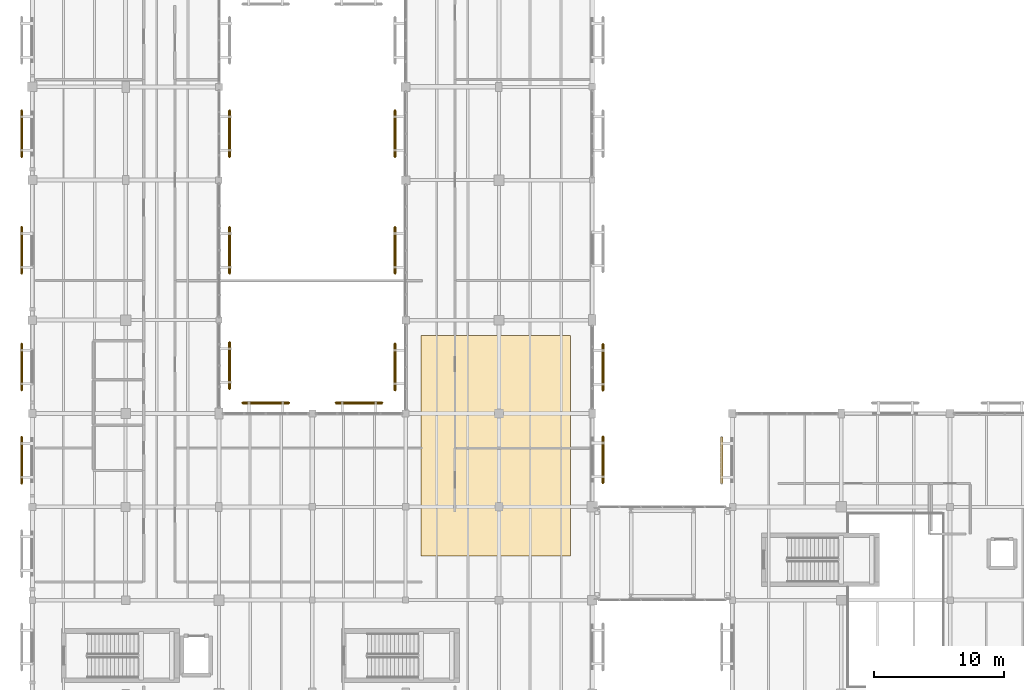
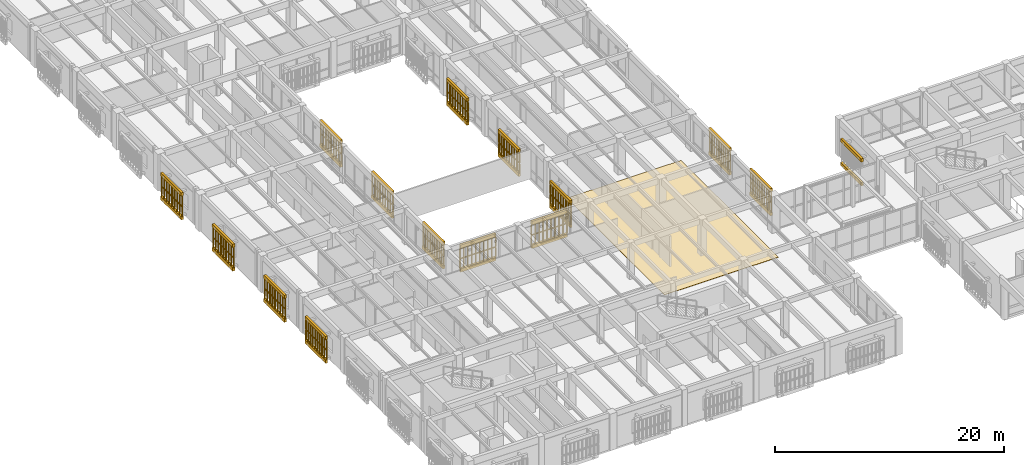
# One storey, part 152 of 170: 31 coverings, 28 railings.
"""IFC4 building model written with IfcOpenShell, lengths in metres."""

from ifc_helpers import new_model, si_unit, direction, frame, origin, origin_2d, place, context, subcontext, project, spatial, polyline, circle, outline, extrude, material, layer, layer_set, type_object, element, save


model = new_model("IFC4")

# Units and contexts
model_context = context("Model", 3, precision=1e-05, world=origin(), true_north=direction((0.0, 1.0)))
body_context = subcontext(model_context, "Body", "Model", "MODEL_VIEW")
ifc_project = project(units=[si_unit("LENGTHUNIT", "METRE"), si_unit("AREAUNIT", "SQUARE_METRE"), si_unit("VOLUMEUNIT", "CUBIC_METRE"), si_unit("PLANEANGLEUNIT", "RADIAN"), si_unit("MASSUNIT", "GRAM", prefix="KILO")], contexts=[model_context])

# Site, building, storey
site_placement = place(None, origin())
site = spatial("IfcSite", under=ifc_project, at=site_placement, CompositionType="ELEMENT")
building_placement = place(site_placement, origin())
building = spatial("IfcBuilding", under=site, at=building_placement, Name="Mazaris Harbour Polytechnic", CompositionType="ELEMENT")
storey_placement = place(building_placement, frame((0.0, 0.0, 5.39990234375)))
storey = spatial("IfcBuildingStorey", under=building, at=storey_placement, Name="L01", CompositionType="ELEMENT", Elevation=5.39990234375)

# Covering
ifc_material_1 = material(Name="Honed Stone Terrazzo", Category="masonry")
ifc_layer_1 = layer(ifc_material_1, 0.034912109375, Name="Honed Stone Terrazzo")
ifc_layer_set_1 = layer_set([ifc_layer_1], Name="Honed Stone Terrazzo")
covering_type_1 = type_object("IfcCoveringType", Name="Honed Stone Terrazzo Flooring 35", PredefinedType="FLOORING", material=ifc_layer_set_1)
covering_1_placement = place(storey_placement, origin())
element("IfcCovering", 1, at=covering_1_placement, inside=storey, type_object=covering_type_1, Name="Covering COV-FL-04", PredefinedType="FLOORING", context=body_context, shape_type="SweptSolid", body=[
    extrude(outline(polyline([(30.0, 25.0), (41.5, 25.0), (41.5, 42.0), (30.0, 42.0), (30.0, 25.0)])), origin(), (0.0, 0.0, 1.0), 0.03515625),
])

# Railings
ifc_material_2 = material(Name="Perforated Earth-Coloured Terracotta Block", Category="masonry")
railing_type = type_object("IfcRailingType", Name="Perforated Earth-Block Claustra Lattice 1040", PredefinedType="BALUSTRADE", material=ifc_material_2)
for number, where, name in (
    (2, (-0.820068359375, 30.58740234375, 0.52001953125), "V4 L01 Lower Perforated Terracotta Block Screen 170"),
    (3, (-0.820068359375, 30.58740234375, 1.60498046875), "V4 L01 Upper Perforated Terracotta Block Screen 170"),
):
    element("IfcRailing", number, at=place(storey_placement, frame(where)), inside=storey, type_object=railing_type, Name=name, PredefinedType="BALUSTRADE", context=body_context, shape_type="SweptSolid", body=[
        extrude(circle(Radius=0.06982421875, at=origin_2d()), frame((0.0, 0.0, 1.01513671875), z_axis=(0.0, 1.0, 0.0), x_axis=(-1.0, 0.0, 0.0)), (0.0, 0.0, 1.0), 3.60009765625),
        extrude(circle(Radius=0.074951171875, at=origin_2d()), origin(), (0.0, 0.0, 1.0), 0.945068359375),
        extrude(circle(Radius=0.074951171875, at=origin_2d()), frame((0.0, 0.39990234375, 0.0)), (0.0, 0.0, 1.0), 0.945068359375),
        extrude(circle(Radius=0.074951171875, at=origin_2d()), frame((0.0, 0.800048828125, 0.0)), (0.0, 0.0, 1.0), 0.945068359375),
        extrude(circle(Radius=0.074951171875, at=origin_2d()), frame((0.0, 1.199951171875, 0.0)), (0.0, 0.0, 1.0), 0.945068359375),
        extrude(circle(Radius=0.074951171875, at=origin_2d()), frame((0.0, 1.60009765625, 0.0)), (0.0, 0.0, 1.0), 0.945068359375),
        extrude(circle(Radius=0.074951171875, at=origin_2d()), frame((0.0, 2.0, 0.0)), (0.0, 0.0, 1.0), 0.945068359375),
        extrude(circle(Radius=0.074951171875, at=origin_2d()), frame((0.0, 2.400146484375, 0.0)), (0.0, 0.0, 1.0), 0.945068359375),
        extrude(circle(Radius=0.074951171875, at=origin_2d()), frame((0.0, 2.800048828125, 0.0)), (0.0, 0.0, 1.0), 0.945068359375),
        extrude(circle(Radius=0.074951171875, at=origin_2d()), frame((0.0, 3.2001953125, 0.0)), (0.0, 0.0, 1.0), 0.945068359375),
        extrude(circle(Radius=0.074951171875, at=origin_2d()), frame((0.0, 3.60009765625, 0.0)), (0.0, 0.0, 1.0), 0.945068359375),
    ])
for number, where, name in (
    (4, (-0.820068359375, 37.78759765625, 0.52001953125), "V4 L01 Lower Perforated Terracotta Block Screen 171"),
    (5, (-0.820068359375, 37.78759765625, 1.610107421875), "V4 L01 Upper Perforated Terracotta Block Screen 171"),
    (6, (-0.820068359375, 46.78759765625, 0.52001953125), "V4 L01 Lower Perforated Terracotta Block Screen 172"),
    (7, (-0.820068359375, 46.78759765625, 1.610107421875), "V4 L01 Upper Perforated Terracotta Block Screen 172"),
    (8, (-0.820068359375, 55.78759765625, 0.52001953125), "V4 L01 Lower Perforated Terracotta Block Screen 173"),
    (9, (-0.820068359375, 55.78759765625, 1.610107421875), "V4 L01 Upper Perforated Terracotta Block Screen 173"),
):
    element("IfcRailing", number, at=place(storey_placement, frame(where)), inside=storey, type_object=railing_type, Name=name, PredefinedType="BALUSTRADE", context=body_context, shape_type="SweptSolid", body=[
        extrude(circle(Radius=0.06982421875, at=origin_2d()), frame((0.0, 0.0, 1.02001953125), z_axis=(0.0, 1.0, 0.0), x_axis=(-1.0, 0.0, 0.0)), (0.0, 0.0, 1.0), 3.599853515625),
        extrude(circle(Radius=0.074951171875, at=origin_2d()), origin(), (0.0, 0.0, 1.0), 0.9501953125),
        extrude(circle(Radius=0.074951171875, at=origin_2d()), frame((0.0, 0.449951171875, 0.0)), (0.0, 0.0, 1.0), 0.9501953125),
        extrude(circle(Radius=0.074951171875, at=origin_2d()), frame((0.0, 0.89990234375, 0.0)), (0.0, 0.0, 1.0), 0.9501953125),
        extrude(circle(Radius=0.074951171875, at=origin_2d()), frame((0.0, 1.349853515625, 0.0)), (0.0, 0.0, 1.0), 0.9501953125),
        extrude(circle(Radius=0.074951171875, at=origin_2d()), frame((0.0, 1.7998046875, 0.0)), (0.0, 0.0, 1.0), 0.9501953125),
        extrude(circle(Radius=0.074951171875, at=origin_2d()), frame((0.0, 2.25, 0.0)), (0.0, 0.0, 1.0), 0.9501953125),
        extrude(circle(Radius=0.074951171875, at=origin_2d()), frame((0.0, 2.699951171875, 0.0)), (0.0, 0.0, 1.0), 0.9501953125),
        extrude(circle(Radius=0.074951171875, at=origin_2d()), frame((0.0, 3.14990234375, 0.0)), (0.0, 0.0, 1.0), 0.9501953125),
        extrude(circle(Radius=0.074951171875, at=origin_2d()), frame((0.0, 3.599853515625, 0.0)), (0.0, 0.0, 1.0), 0.9501953125),
    ])
for number, where, name in (
    (10, (44.02001953125, 34.22509765625, 0.52001953125), "V4 L01 Lower Perforated Terracotta Block Screen 181"),
    (11, (44.02001953125, 34.22509765625, 1.610107421875), "V4 L01 Upper Perforated Terracotta Block Screen 181"),
    (12, (44.02001953125, 41.362548828125, 0.52001953125), "V4 L01 Lower Perforated Terracotta Block Screen 182"),
    (13, (44.02001953125, 41.362548828125, 1.610107421875), "V4 L01 Upper Perforated Terracotta Block Screen 182"),
):
    element("IfcRailing", number, at=place(storey_placement, frame(where)), inside=storey, type_object=railing_type, Name=name, PredefinedType="BALUSTRADE", context=body_context, shape_type="SweptSolid", body=[
        extrude(circle(Radius=0.06982421875, at=origin_2d()), frame((0.0, 0.0, 1.02001953125), z_axis=(0.0, -1.0, 0.0), x_axis=(1.0, 0.0, 0.0)), (0.0, 0.0, 1.0), 3.60009765625),
        extrude(circle(Radius=0.074951171875, at=origin_2d()), origin(), (0.0, 0.0, 1.0), 0.9501953125),
        extrude(circle(Radius=0.074951171875, at=origin_2d()), frame((0.0, -0.39990234375, 0.0)), (0.0, 0.0, 1.0), 0.9501953125),
        extrude(circle(Radius=0.074951171875, at=origin_2d()), frame((0.0, -0.800048828125, 0.0)), (0.0, 0.0, 1.0), 0.9501953125),
        extrude(circle(Radius=0.074951171875, at=origin_2d()), frame((0.0, -1.199951171875, 0.0)), (0.0, 0.0, 1.0), 0.9501953125),
        extrude(circle(Radius=0.074951171875, at=origin_2d()), frame((0.0, -1.60009765625, 0.0)), (0.0, 0.0, 1.0), 0.9501953125),
        extrude(circle(Radius=0.074951171875, at=origin_2d()), frame((0.0, -2.0, 0.0)), (0.0, 0.0, 1.0), 0.9501953125),
        extrude(circle(Radius=0.074951171875, at=origin_2d()), frame((0.0, -2.400146484375, 0.0)), (0.0, 0.0, 1.0), 0.9501953125),
        extrude(circle(Radius=0.074951171875, at=origin_2d()), frame((0.0, -2.800048828125, 0.0)), (0.0, 0.0, 1.0), 0.9501953125),
        extrude(circle(Radius=0.074951171875, at=origin_2d()), frame((0.0, -3.2001953125, 0.0)), (0.0, 0.0, 1.0), 0.9501953125),
        extrude(circle(Radius=0.074951171875, at=origin_2d()), frame((0.0, -3.60009765625, 0.0)), (0.0, 0.0, 1.0), 0.9501953125),
    ])
for number, where, name in (
    (14, (16.21240234375, 36.820068359375, 0.52001953125), "V4 L01 Lower Perforated Terracotta Block Screen 189"),
    (15, (16.21240234375, 36.820068359375, 1.610107421875), "V4 L01 Upper Perforated Terracotta Block Screen 189"),
    (16, (23.39990234375, 36.820068359375, 0.52001953125), "V4 L01 Lower Perforated Terracotta Block Screen 190"),
    (17, (23.39990234375, 36.820068359375, 1.610107421875), "V4 L01 Upper Perforated Terracotta Block Screen 190"),
):
    element("IfcRailing", number, at=place(storey_placement, frame(where)), inside=storey, type_object=railing_type, Name=name, PredefinedType="BALUSTRADE", context=body_context, shape_type="SweptSolid", body=[
        extrude(circle(Radius=0.06982421875, at=origin_2d()), frame((0.0, 0.0, 1.02001953125), z_axis=(1.0, 0.0, 0.0), x_axis=(0.0, 1.0, 0.0)), (0.0, 0.0, 1.0), 3.60009765625),
        extrude(circle(Radius=0.074951171875, at=origin_2d()), origin(), (0.0, 0.0, 1.0), 0.9501953125),
        extrude(circle(Radius=0.074951171875, at=origin_2d()), frame((0.39990234375, 0.0, 0.0)), (0.0, 0.0, 1.0), 0.9501953125),
        extrude(circle(Radius=0.074951171875, at=origin_2d()), frame((0.800048828125, 0.0, 0.0)), (0.0, 0.0, 1.0), 0.9501953125),
        extrude(circle(Radius=0.074951171875, at=origin_2d()), frame((1.199951171875, 0.0, 0.0)), (0.0, 0.0, 1.0), 0.9501953125),
        extrude(circle(Radius=0.074951171875, at=origin_2d()), frame((1.60009765625, 0.0, 0.0)), (0.0, 0.0, 1.0), 0.9501953125),
        extrude(circle(Radius=0.074951171875, at=origin_2d()), frame((2.0, 0.0, 0.0)), (0.0, 0.0, 1.0), 0.9501953125),
        extrude(circle(Radius=0.074951171875, at=origin_2d()), frame((2.400146484375, 0.0, 0.0)), (0.0, 0.0, 1.0), 0.9501953125),
        extrude(circle(Radius=0.074951171875, at=origin_2d()), frame((2.800048828125, 0.0, 0.0)), (0.0, 0.0, 1.0), 0.9501953125),
        extrude(circle(Radius=0.074951171875, at=origin_2d()), frame((3.2001953125, 0.0, 0.0)), (0.0, 0.0, 1.0), 0.9501953125),
        extrude(circle(Radius=0.074951171875, at=origin_2d()), frame((3.60009765625, 0.0, 0.0)), (0.0, 0.0, 1.0), 0.9501953125),
    ])
for number, where, name in (
    (18, (15.219970703125, 37.89990234375, 0.52001953125), "V4 L01 Lower Perforated Terracotta Block Screen 193"),
    (19, (15.219970703125, 37.89990234375, 1.610107421875), "V4 L01 Upper Perforated Terracotta Block Screen 193"),
):
    element("IfcRailing", number, at=place(storey_placement, frame(where)), inside=storey, type_object=railing_type, Name=name, PredefinedType="BALUSTRADE", context=body_context, shape_type="SweptSolid", body=[
        extrude(circle(Radius=0.06982421875, at=origin_2d()), frame((0.0, 0.0, 1.02001953125), z_axis=(0.0, 1.0, 0.0), x_axis=(-1.0, 0.0, 0.0)), (0.0, 0.0, 1.0), 3.60009765625),
        extrude(circle(Radius=0.074951171875, at=origin_2d()), origin(), (0.0, 0.0, 1.0), 0.9501953125),
        extrude(circle(Radius=0.074951171875, at=origin_2d()), frame((0.0, 0.39990234375, 0.0)), (0.0, 0.0, 1.0), 0.9501953125),
        extrude(circle(Radius=0.074951171875, at=origin_2d()), frame((0.0, 0.800048828125, 0.0)), (0.0, 0.0, 1.0), 0.9501953125),
        extrude(circle(Radius=0.074951171875, at=origin_2d()), frame((0.0, 1.199951171875, 0.0)), (0.0, 0.0, 1.0), 0.9501953125),
        extrude(circle(Radius=0.074951171875, at=origin_2d()), frame((0.0, 1.60009765625, 0.0)), (0.0, 0.0, 1.0), 0.9501953125),
        extrude(circle(Radius=0.074951171875, at=origin_2d()), frame((0.0, 2.0, 0.0)), (0.0, 0.0, 1.0), 0.9501953125),
        extrude(circle(Radius=0.074951171875, at=origin_2d()), frame((0.0, 2.400146484375, 0.0)), (0.0, 0.0, 1.0), 0.9501953125),
        extrude(circle(Radius=0.074951171875, at=origin_2d()), frame((0.0, 2.800048828125, 0.0)), (0.0, 0.0, 1.0), 0.9501953125),
        extrude(circle(Radius=0.074951171875, at=origin_2d()), frame((0.0, 3.2001953125, 0.0)), (0.0, 0.0, 1.0), 0.9501953125),
        extrude(circle(Radius=0.074951171875, at=origin_2d()), frame((0.0, 3.60009765625, 0.0)), (0.0, 0.0, 1.0), 0.9501953125),
    ])
for number, where, name in (
    (20, (15.219970703125, 46.78759765625, 0.52001953125), "V4 L01 Lower Perforated Terracotta Block Screen 194"),
    (21, (15.219970703125, 46.78759765625, 1.610107421875), "V4 L01 Upper Perforated Terracotta Block Screen 194"),
    (22, (15.219970703125, 55.78759765625, 0.52001953125), "V4 L01 Lower Perforated Terracotta Block Screen 195"),
    (23, (15.219970703125, 55.78759765625, 1.610107421875), "V4 L01 Upper Perforated Terracotta Block Screen 195"),
):
    element("IfcRailing", number, at=place(storey_placement, frame(where)), inside=storey, type_object=railing_type, Name=name, PredefinedType="BALUSTRADE", context=body_context, shape_type="SweptSolid", body=[
        extrude(circle(Radius=0.06982421875, at=origin_2d()), frame((0.0, 0.0, 1.02001953125), z_axis=(0.0, 1.0, 0.0), x_axis=(-1.0, 0.0, 0.0)), (0.0, 0.0, 1.0), 3.599853515625),
        extrude(circle(Radius=0.074951171875, at=origin_2d()), origin(), (0.0, 0.0, 1.0), 0.9501953125),
        extrude(circle(Radius=0.074951171875, at=origin_2d()), frame((0.0, 0.449951171875, 0.0)), (0.0, 0.0, 1.0), 0.9501953125),
        extrude(circle(Radius=0.074951171875, at=origin_2d()), frame((0.0, 0.89990234375, 0.0)), (0.0, 0.0, 1.0), 0.9501953125),
        extrude(circle(Radius=0.074951171875, at=origin_2d()), frame((0.0, 1.349853515625, 0.0)), (0.0, 0.0, 1.0), 0.9501953125),
        extrude(circle(Radius=0.074951171875, at=origin_2d()), frame((0.0, 1.7998046875, 0.0)), (0.0, 0.0, 1.0), 0.9501953125),
        extrude(circle(Radius=0.074951171875, at=origin_2d()), frame((0.0, 2.25, 0.0)), (0.0, 0.0, 1.0), 0.9501953125),
        extrude(circle(Radius=0.074951171875, at=origin_2d()), frame((0.0, 2.699951171875, 0.0)), (0.0, 0.0, 1.0), 0.9501953125),
        extrude(circle(Radius=0.074951171875, at=origin_2d()), frame((0.0, 3.14990234375, 0.0)), (0.0, 0.0, 1.0), 0.9501953125),
        extrude(circle(Radius=0.074951171875, at=origin_2d()), frame((0.0, 3.599853515625, 0.0)), (0.0, 0.0, 1.0), 0.9501953125),
    ])
for number, where, name in (
    (24, (27.97998046875, 41.387451171875, 0.52001953125), "V4 L01 Lower Perforated Terracotta Block Screen 197"),
    (25, (27.97998046875, 41.387451171875, 1.610107421875), "V4 L01 Upper Perforated Terracotta Block Screen 197"),
    (26, (27.97998046875, 50.387451171875, 0.52001953125), "V4 L01 Lower Perforated Terracotta Block Screen 198"),
    (27, (27.97998046875, 50.387451171875, 1.610107421875), "V4 L01 Upper Perforated Terracotta Block Screen 198"),
    (28, (27.97998046875, 59.387451171875, 0.52001953125), "V4 L01 Lower Perforated Terracotta Block Screen 199"),
    (29, (27.97998046875, 59.387451171875, 1.610107421875), "V4 L01 Upper Perforated Terracotta Block Screen 199"),
):
    element("IfcRailing", number, at=place(storey_placement, frame(where)), inside=storey, type_object=railing_type, Name=name, PredefinedType="BALUSTRADE", context=body_context, shape_type="SweptSolid", body=[
        extrude(circle(Radius=0.06982421875, at=origin_2d()), frame((0.0, 0.0, 1.02001953125), z_axis=(0.0, -1.0, 0.0), x_axis=(1.0, 0.0, 0.0)), (0.0, 0.0, 1.0), 3.599853515625),
        extrude(circle(Radius=0.074951171875, at=origin_2d()), origin(), (0.0, 0.0, 1.0), 0.9501953125),
        extrude(circle(Radius=0.074951171875, at=origin_2d()), frame((0.0, -0.449951171875, 0.0)), (0.0, 0.0, 1.0), 0.9501953125),
        extrude(circle(Radius=0.074951171875, at=origin_2d()), frame((0.0, -0.89990234375, 0.0)), (0.0, 0.0, 1.0), 0.9501953125),
        extrude(circle(Radius=0.074951171875, at=origin_2d()), frame((0.0, -1.349853515625, 0.0)), (0.0, 0.0, 1.0), 0.9501953125),
        extrude(circle(Radius=0.074951171875, at=origin_2d()), frame((0.0, -1.7998046875, 0.0)), (0.0, 0.0, 1.0), 0.9501953125),
        extrude(circle(Radius=0.074951171875, at=origin_2d()), frame((0.0, -2.25, 0.0)), (0.0, 0.0, 1.0), 0.9501953125),
        extrude(circle(Radius=0.074951171875, at=origin_2d()), frame((0.0, -2.699951171875, 0.0)), (0.0, 0.0, 1.0), 0.9501953125),
        extrude(circle(Radius=0.074951171875, at=origin_2d()), frame((0.0, -3.14990234375, 0.0)), (0.0, 0.0, 1.0), 0.9501953125),
        extrude(circle(Radius=0.074951171875, at=origin_2d()), frame((0.0, -3.599853515625, 0.0)), (0.0, 0.0, 1.0), 0.9501953125),
    ])

# Coverings
ifc_material_3 = material(Name="Perforated Earth-Coloured Terracotta Block", Category="masonry")
ifc_layer_2 = layer(ifc_material_3, 0.219970703125, Name="Perforated Earth-Coloured Terracotta Block")
ifc_layer_set_2 = layer_set([ifc_layer_2], Name="Perforated Earth-Coloured Terracotta Block")
covering_type_2 = type_object("IfcCoveringType", Name="Terracotta Screen Course Cladding 220", PredefinedType="CLADDING", material=ifc_layer_set_2)
covering_2_placement = place(storey_placement, frame((0.0, 0.0, 0.16015625)))
element("IfcCovering", 30, at=covering_2_placement, inside=storey, type_object=covering_type_2, Name="V3 L01 Perforated Screen Sill Course 118", PredefinedType="CLADDING", context=body_context, shape_type="SweptSolid", body=[
    extrude(outline(polyline([(53.2900390625, 30.58740234375), (53.2900390625, 34.1875), (53.070068359375, 34.1875), (53.070068359375, 30.58740234375), (53.2900390625, 30.58740234375)])), origin(), (0.0, 0.0, 1.0), 0.35986328125),
])
covering_3_placement = place(storey_placement, frame((0.0, 0.0, 2.7001953125)))
element("IfcCovering", 31, at=covering_3_placement, inside=storey, type_object=covering_type_2, Name="V3 L01 Perforated Screen Lintel Course 118", PredefinedType="CLADDING", context=body_context, shape_type="SweptSolid", body=[
    extrude(outline(polyline([(53.2900390625, 30.58740234375), (53.2900390625, 34.1875), (53.070068359375, 34.1875), (53.070068359375, 30.58740234375), (53.2900390625, 30.58740234375)])), origin(), (0.0, 0.0, 1.0), 0.33984375),
])
covering_4_placement = place(storey_placement, frame((0.0, 0.0, 0.16015625)))
element("IfcCovering", 32, at=covering_4_placement, inside=storey, type_object=covering_type_2, Name="V4 L01 Perforated Screen Sill Course 170", PredefinedType="CLADDING", context=body_context, shape_type="SweptSolid", body=[
    extrude(outline(polyline([(-0.7099609375, 30.58740234375), (-0.7099609375, 34.1875), (-0.929931640625, 34.1875), (-0.929931640625, 30.58740234375), (-0.7099609375, 30.58740234375)])), origin(), (0.0, 0.0, 1.0), 0.35986328125),
])
covering_5_placement = place(storey_placement, frame((0.0, 0.0, 2.690185546875)))
element("IfcCovering", 33, at=covering_5_placement, inside=storey, type_object=covering_type_2, Name="V4 L01 Perforated Screen Lintel Course 170", PredefinedType="CLADDING", context=body_context, shape_type="SweptSolid", body=[
    extrude(outline(polyline([(-0.7099609375, 30.58740234375), (-0.7099609375, 34.1875), (-0.929931640625, 34.1875), (-0.929931640625, 30.58740234375), (-0.7099609375, 30.58740234375)])), origin(), (0.0, 0.0, 1.0), 0.33984375),
])
covering_6_placement = place(storey_placement, frame((0.0, 0.0, 0.16015625)))
element("IfcCovering", 34, at=covering_6_placement, inside=storey, type_object=covering_type_2, Name="V4 L01 Perforated Screen Sill Course 171", PredefinedType="CLADDING", context=body_context, shape_type="SweptSolid", body=[
    extrude(outline(polyline([(-0.7099609375, 37.78759765625), (-0.7099609375, 41.387451171875), (-0.929931640625, 41.387451171875), (-0.929931640625, 37.78759765625), (-0.7099609375, 37.78759765625)])), origin(), (0.0, 0.0, 1.0), 0.35986328125),
])
covering_7_placement = place(storey_placement, frame((0.0, 0.0, 2.7001953125)))
element("IfcCovering", 35, at=covering_7_placement, inside=storey, type_object=covering_type_2, Name="V4 L01 Perforated Screen Lintel Course 171", PredefinedType="CLADDING", context=body_context, shape_type="SweptSolid", body=[
    extrude(outline(polyline([(-0.7099609375, 37.78759765625), (-0.7099609375, 41.387451171875), (-0.929931640625, 41.387451171875), (-0.929931640625, 37.78759765625), (-0.7099609375, 37.78759765625)])), origin(), (0.0, 0.0, 1.0), 0.33984375),
])
covering_8_placement = place(storey_placement, frame((0.0, 0.0, 0.16015625)))
element("IfcCovering", 36, at=covering_8_placement, inside=storey, type_object=covering_type_2, Name="V4 L01 Perforated Screen Sill Course 172", PredefinedType="CLADDING", context=body_context, shape_type="SweptSolid", body=[
    extrude(outline(polyline([(-0.7099609375, 46.78759765625), (-0.7099609375, 50.387451171875), (-0.929931640625, 50.387451171875), (-0.929931640625, 46.78759765625), (-0.7099609375, 46.78759765625)])), origin(), (0.0, 0.0, 1.0), 0.35986328125),
])
covering_9_placement = place(storey_placement, frame((0.0, 0.0, 2.7001953125)))
element("IfcCovering", 37, at=covering_9_placement, inside=storey, type_object=covering_type_2, Name="V4 L01 Perforated Screen Lintel Course 172", PredefinedType="CLADDING", context=body_context, shape_type="SweptSolid", body=[
    extrude(outline(polyline([(-0.7099609375, 46.78759765625), (-0.7099609375, 50.387451171875), (-0.929931640625, 50.387451171875), (-0.929931640625, 46.78759765625), (-0.7099609375, 46.78759765625)])), origin(), (0.0, 0.0, 1.0), 0.33984375),
])
covering_10_placement = place(storey_placement, frame((0.0, 0.0, 0.16015625)))
element("IfcCovering", 38, at=covering_10_placement, inside=storey, type_object=covering_type_2, Name="V4 L01 Perforated Screen Sill Course 173", PredefinedType="CLADDING", context=body_context, shape_type="SweptSolid", body=[
    extrude(outline(polyline([(-0.7099609375, 55.78759765625), (-0.7099609375, 59.387451171875), (-0.929931640625, 59.387451171875), (-0.929931640625, 55.78759765625), (-0.7099609375, 55.78759765625)])), origin(), (0.0, 0.0, 1.0), 0.35986328125),
])
covering_11_placement = place(storey_placement, frame((0.0, 0.0, 2.7001953125)))
element("IfcCovering", 39, at=covering_11_placement, inside=storey, type_object=covering_type_2, Name="V4 L01 Perforated Screen Lintel Course 173", PredefinedType="CLADDING", context=body_context, shape_type="SweptSolid", body=[
    extrude(outline(polyline([(-0.7099609375, 55.78759765625), (-0.7099609375, 59.387451171875), (-0.929931640625, 59.387451171875), (-0.929931640625, 55.78759765625), (-0.7099609375, 55.78759765625)])), origin(), (0.0, 0.0, 1.0), 0.33984375),
])
covering_12_placement = place(storey_placement, frame((0.0, 0.0, 0.16015625)))
element("IfcCovering", 40, at=covering_12_placement, inside=storey, type_object=covering_type_2, Name="V4 L01 Perforated Screen Sill Course 181", PredefinedType="CLADDING", context=body_context, shape_type="SweptSolid", body=[
    extrude(outline(polyline([(43.909912109375, 34.22509765625), (43.909912109375, 30.625), (44.1298828125, 30.625), (44.1298828125, 34.22509765625), (43.909912109375, 34.22509765625)])), origin(), (0.0, 0.0, 1.0), 0.35986328125),
])
covering_13_placement = place(storey_placement, frame((0.0, 0.0, 2.7001953125)))
element("IfcCovering", 41, at=covering_13_placement, inside=storey, type_object=covering_type_2, Name="V4 L01 Perforated Screen Lintel Course 181", PredefinedType="CLADDING", context=body_context, shape_type="SweptSolid", body=[
    extrude(outline(polyline([(43.909912109375, 34.22509765625), (43.909912109375, 30.625), (44.1298828125, 30.625), (44.1298828125, 34.22509765625), (43.909912109375, 34.22509765625)])), origin(), (0.0, 0.0, 1.0), 0.33984375),
])
covering_14_placement = place(storey_placement, frame((0.0, 0.0, 0.16015625)))
element("IfcCovering", 42, at=covering_14_placement, inside=storey, type_object=covering_type_2, Name="V4 L01 Perforated Screen Sill Course 182", PredefinedType="CLADDING", context=body_context, shape_type="SweptSolid", body=[
    extrude(outline(polyline([(43.909912109375, 41.362548828125), (43.909912109375, 37.762451171875), (44.1298828125, 37.762451171875), (44.1298828125, 41.362548828125), (43.909912109375, 41.362548828125)])), origin(), (0.0, 0.0, 1.0), 0.35986328125),
])
covering_15_placement = place(storey_placement, frame((0.0, 0.0, 2.7001953125)))
element("IfcCovering", 43, at=covering_15_placement, inside=storey, type_object=covering_type_2, Name="V4 L01 Perforated Screen Lintel Course 182", PredefinedType="CLADDING", context=body_context, shape_type="SweptSolid", body=[
    extrude(outline(polyline([(43.909912109375, 41.362548828125), (43.909912109375, 37.762451171875), (44.1298828125, 37.762451171875), (44.1298828125, 41.362548828125), (43.909912109375, 41.362548828125)])), origin(), (0.0, 0.0, 1.0), 0.33984375),
])
covering_16_placement = place(storey_placement, frame((0.0, 0.0, 0.16015625)))
element("IfcCovering", 44, at=covering_16_placement, inside=storey, type_object=covering_type_2, Name="V4 L01 Perforated Screen Sill Course 189", PredefinedType="CLADDING", context=body_context, shape_type="SweptSolid", body=[
    extrude(outline(polyline([(16.21240234375, 36.7099609375), (19.8125, 36.7099609375), (19.8125, 36.929931640625), (16.21240234375, 36.929931640625), (16.21240234375, 36.7099609375)])), origin(), (0.0, 0.0, 1.0), 0.35986328125),
])
covering_17_placement = place(storey_placement, frame((0.0, 0.0, 2.7001953125)))
element("IfcCovering", 45, at=covering_17_placement, inside=storey, type_object=covering_type_2, Name="V4 L01 Perforated Screen Lintel Course 189", PredefinedType="CLADDING", context=body_context, shape_type="SweptSolid", body=[
    extrude(outline(polyline([(16.21240234375, 36.7099609375), (19.8125, 36.7099609375), (19.8125, 36.929931640625), (16.21240234375, 36.929931640625), (16.21240234375, 36.7099609375)])), origin(), (0.0, 0.0, 1.0), 0.33984375),
])
covering_18_placement = place(storey_placement, frame((0.0, 0.0, 0.16015625)))
element("IfcCovering", 46, at=covering_18_placement, inside=storey, type_object=covering_type_2, Name="V4 L01 Perforated Screen Sill Course 190", PredefinedType="CLADDING", context=body_context, shape_type="SweptSolid", body=[
    extrude(outline(polyline([(23.39990234375, 36.7099609375), (27.0, 36.7099609375), (27.0, 36.929931640625), (23.39990234375, 36.929931640625), (23.39990234375, 36.7099609375)])), origin(), (0.0, 0.0, 1.0), 0.35986328125),
])
covering_19_placement = place(storey_placement, frame((0.0, 0.0, 2.7001953125)))
element("IfcCovering", 47, at=covering_19_placement, inside=storey, type_object=covering_type_2, Name="V4 L01 Perforated Screen Lintel Course 190", PredefinedType="CLADDING", context=body_context, shape_type="SweptSolid", body=[
    extrude(outline(polyline([(23.39990234375, 36.7099609375), (27.0, 36.7099609375), (27.0, 36.929931640625), (23.39990234375, 36.929931640625), (23.39990234375, 36.7099609375)])), origin(), (0.0, 0.0, 1.0), 0.33984375),
])
covering_20_placement = place(storey_placement, frame((0.0, 0.0, 0.16015625)))
element("IfcCovering", 48, at=covering_20_placement, inside=storey, type_object=covering_type_2, Name="V4 L01 Perforated Screen Sill Course 193", PredefinedType="CLADDING", context=body_context, shape_type="SweptSolid", body=[
    extrude(outline(polyline([(15.110107421875, 37.89990234375), (15.110107421875, 41.5), (15.330078125, 41.5), (15.330078125, 37.89990234375), (15.110107421875, 37.89990234375)])), origin(), (0.0, 0.0, 1.0), 0.35986328125),
])
covering_21_placement = place(storey_placement, frame((0.0, 0.0, 2.7001953125)))
element("IfcCovering", 49, at=covering_21_placement, inside=storey, type_object=covering_type_2, Name="V4 L01 Perforated Screen Lintel Course 193", PredefinedType="CLADDING", context=body_context, shape_type="SweptSolid", body=[
    extrude(outline(polyline([(15.110107421875, 37.89990234375), (15.110107421875, 41.5), (15.330078125, 41.5), (15.330078125, 37.89990234375), (15.110107421875, 37.89990234375)])), origin(), (0.0, 0.0, 1.0), 0.33984375),
])
covering_22_placement = place(storey_placement, frame((0.0, 0.0, 0.16015625)))
element("IfcCovering", 50, at=covering_22_placement, inside=storey, type_object=covering_type_2, Name="V4 L01 Perforated Screen Sill Course 194", PredefinedType="CLADDING", context=body_context, shape_type="SweptSolid", body=[
    extrude(outline(polyline([(15.110107421875, 46.78759765625), (15.110107421875, 50.387451171875), (15.330078125, 50.387451171875), (15.330078125, 46.78759765625), (15.110107421875, 46.78759765625)])), origin(), (0.0, 0.0, 1.0), 0.35986328125),
])
covering_23_placement = place(storey_placement, frame((0.0, 0.0, 2.7001953125)))
element("IfcCovering", 51, at=covering_23_placement, inside=storey, type_object=covering_type_2, Name="V4 L01 Perforated Screen Lintel Course 194", PredefinedType="CLADDING", context=body_context, shape_type="SweptSolid", body=[
    extrude(outline(polyline([(15.110107421875, 46.78759765625), (15.110107421875, 50.387451171875), (15.330078125, 50.387451171875), (15.330078125, 46.78759765625), (15.110107421875, 46.78759765625)])), origin(), (0.0, 0.0, 1.0), 0.33984375),
])
covering_24_placement = place(storey_placement, frame((0.0, 0.0, 0.16015625)))
element("IfcCovering", 52, at=covering_24_placement, inside=storey, type_object=covering_type_2, Name="V4 L01 Perforated Screen Sill Course 195", PredefinedType="CLADDING", context=body_context, shape_type="SweptSolid", body=[
    extrude(outline(polyline([(15.110107421875, 55.78759765625), (15.110107421875, 59.387451171875), (15.330078125, 59.387451171875), (15.330078125, 55.78759765625), (15.110107421875, 55.78759765625)])), origin(), (0.0, 0.0, 1.0), 0.35986328125),
])
covering_25_placement = place(storey_placement, frame((0.0, 0.0, 2.7001953125)))
element("IfcCovering", 53, at=covering_25_placement, inside=storey, type_object=covering_type_2, Name="V4 L01 Perforated Screen Lintel Course 195", PredefinedType="CLADDING", context=body_context, shape_type="SweptSolid", body=[
    extrude(outline(polyline([(15.110107421875, 55.78759765625), (15.110107421875, 59.387451171875), (15.330078125, 59.387451171875), (15.330078125, 55.78759765625), (15.110107421875, 55.78759765625)])), origin(), (0.0, 0.0, 1.0), 0.33984375),
])
covering_26_placement = place(storey_placement, frame((0.0, 0.0, 0.16015625)))
element("IfcCovering", 54, at=covering_26_placement, inside=storey, type_object=covering_type_2, Name="V4 L01 Perforated Screen Sill Course 197", PredefinedType="CLADDING", context=body_context, shape_type="SweptSolid", body=[
    extrude(outline(polyline([(28.090087890625, 41.387451171875), (28.090087890625, 37.78759765625), (27.8701171875, 37.78759765625), (27.8701171875, 41.387451171875), (28.090087890625, 41.387451171875)])), origin(), (0.0, 0.0, 1.0), 0.35986328125),
])
covering_27_placement = place(storey_placement, frame((0.0, 0.0, 2.7001953125)))
element("IfcCovering", 55, at=covering_27_placement, inside=storey, type_object=covering_type_2, Name="V4 L01 Perforated Screen Lintel Course 197", PredefinedType="CLADDING", context=body_context, shape_type="SweptSolid", body=[
    extrude(outline(polyline([(28.090087890625, 41.387451171875), (28.090087890625, 37.78759765625), (27.8701171875, 37.78759765625), (27.8701171875, 41.387451171875), (28.090087890625, 41.387451171875)])), origin(), (0.0, 0.0, 1.0), 0.33984375),
])
covering_28_placement = place(storey_placement, frame((0.0, 0.0, 0.16015625)))
element("IfcCovering", 56, at=covering_28_placement, inside=storey, type_object=covering_type_2, Name="V4 L01 Perforated Screen Sill Course 198", PredefinedType="CLADDING", context=body_context, shape_type="SweptSolid", body=[
    extrude(outline(polyline([(28.090087890625, 50.387451171875), (28.090087890625, 46.78759765625), (27.8701171875, 46.78759765625), (27.8701171875, 50.387451171875), (28.090087890625, 50.387451171875)])), origin(), (0.0, 0.0, 1.0), 0.35986328125),
])
covering_29_placement = place(storey_placement, frame((0.0, 0.0, 2.7001953125)))
element("IfcCovering", 57, at=covering_29_placement, inside=storey, type_object=covering_type_2, Name="V4 L01 Perforated Screen Lintel Course 198", PredefinedType="CLADDING", context=body_context, shape_type="SweptSolid", body=[
    extrude(outline(polyline([(28.090087890625, 50.387451171875), (28.090087890625, 46.78759765625), (27.8701171875, 46.78759765625), (27.8701171875, 50.387451171875), (28.090087890625, 50.387451171875)])), origin(), (0.0, 0.0, 1.0), 0.33984375),
])
covering_30_placement = place(storey_placement, frame((0.0, 0.0, 0.16015625)))
element("IfcCovering", 58, at=covering_30_placement, inside=storey, type_object=covering_type_2, Name="V4 L01 Perforated Screen Sill Course 199", PredefinedType="CLADDING", context=body_context, shape_type="SweptSolid", body=[
    extrude(outline(polyline([(28.090087890625, 59.387451171875), (28.090087890625, 55.78759765625), (27.8701171875, 55.78759765625), (27.8701171875, 59.387451171875), (28.090087890625, 59.387451171875)])), origin(), (0.0, 0.0, 1.0), 0.35986328125),
])
covering_31_placement = place(storey_placement, frame((0.0, 0.0, 2.7001953125)))
element("IfcCovering", 59, at=covering_31_placement, inside=storey, type_object=covering_type_2, Name="V4 L01 Perforated Screen Lintel Course 199", PredefinedType="CLADDING", context=body_context, shape_type="SweptSolid", body=[
    extrude(outline(polyline([(28.090087890625, 59.387451171875), (28.090087890625, 55.78759765625), (27.8701171875, 55.78759765625), (27.8701171875, 59.387451171875), (28.090087890625, 59.387451171875)])), origin(), (0.0, 0.0, 1.0), 0.33984375),
])

save(model, "model.ifc")
